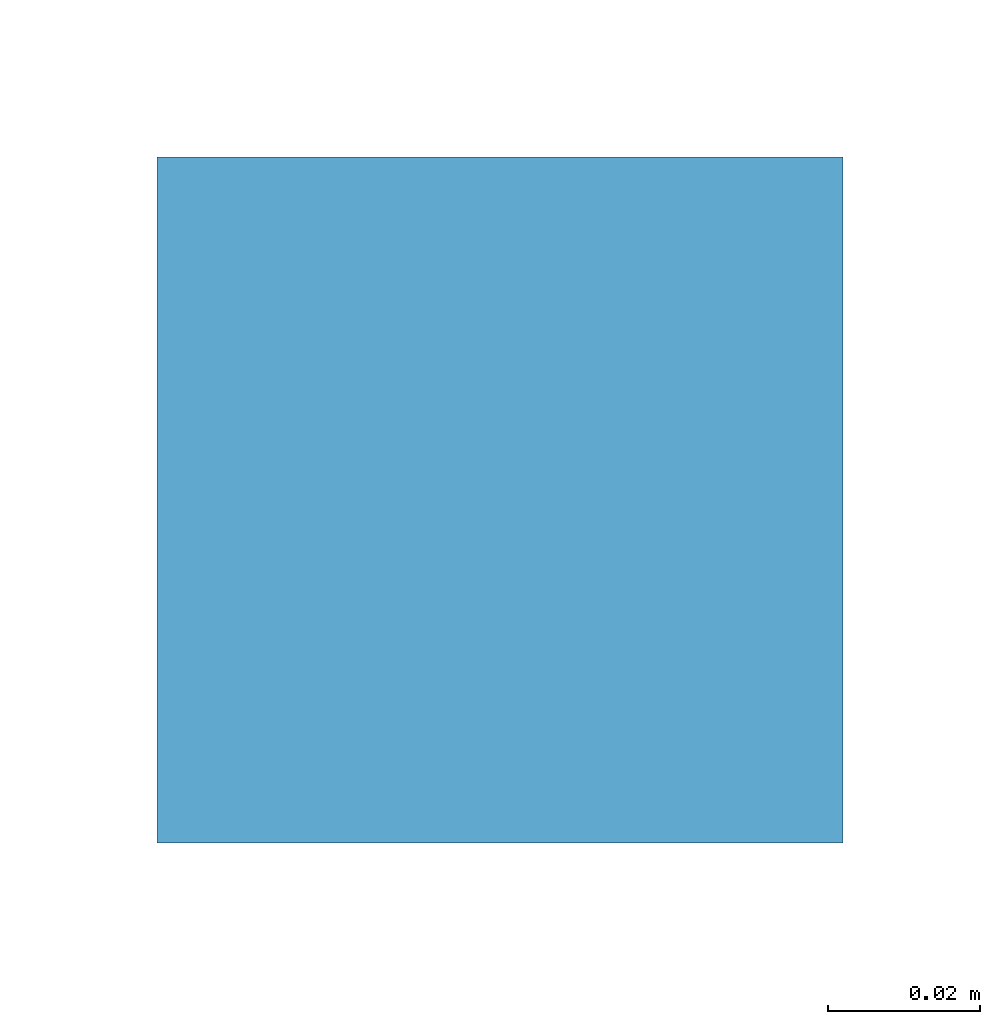
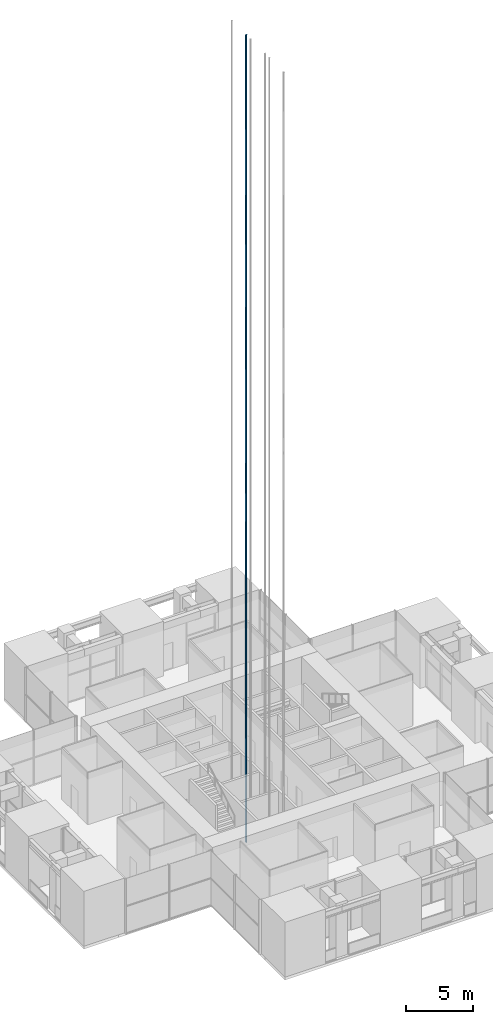
# One storey, part 12 of 17: 1 discrete accessory.
"""IFC4 building model written with IfcOpenShell, lengths in metres."""

from ifc_helpers import new_model, si_unit, direction, frame, origin, origin_2d, place, context, subcontext, project, spatial, rectangle, extrude, element, save


model = new_model("IFC4")

# Units and contexts
model_context = context("Model", 3, precision=1e-05, world=origin(), true_north=direction((0.0, 1.0)))
body_context = subcontext(model_context, "Body", "Model", "MODEL_VIEW")
ifc_project = project(units=[si_unit("LENGTHUNIT", "METRE"), si_unit("AREAUNIT", "SQUARE_METRE"), si_unit("VOLUMEUNIT", "CUBIC_METRE"), si_unit("PLANEANGLEUNIT", "RADIAN"), si_unit("MASSUNIT", "GRAM", prefix="KILO")], contexts=[model_context])

# Site, building, storey
site_placement = place(None, origin())
site = spatial("IfcSite", under=ifc_project, at=site_placement, CompositionType="ELEMENT")
building_placement = place(site_placement, origin())
building = spatial("IfcBuilding", under=site, at=building_placement, Name="Svetlomir Tower", CompositionType="ELEMENT")
storey_placement = place(building_placement, frame((0.0, 0.0, 165.5)))
storey = spatial("IfcBuildingStorey", under=building, at=storey_placement, Name="L39", CompositionType="ELEMENT", Elevation=165.5)

# Discrete accessory
discrete_accessory_placement = place(storey_placement, frame((18.300048828125, 18.425048828125, -1.400146484375), z_axis=(0.0, 0.0, 1.0), x_axis=(1.0, 0.0, 0.0)))
element("IfcDiscreteAccessory", 1, at=discrete_accessory_placement, inside=storey, Name="Lift LC3 guide rail 1", ObjectType="LIFT GUIDE RAIL", PredefinedType="USERDEFINED", context=body_context, shape_type="SweptSolid", body=[
    extrude(rectangle(XDim=0.090087890625, YDim=0.090087890625, at=origin_2d()), origin(), (0.0, 0.0, 1.0), 73.60009765625),
])

save(model, "model.ifc")
